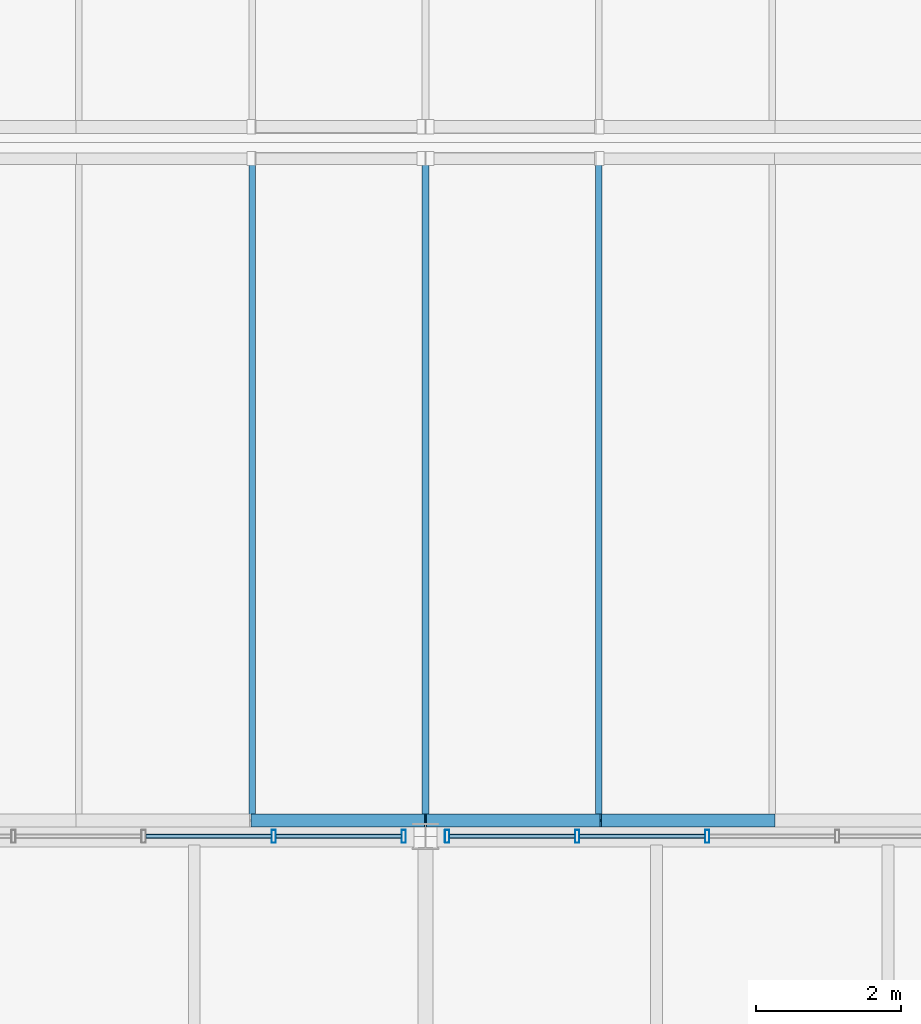
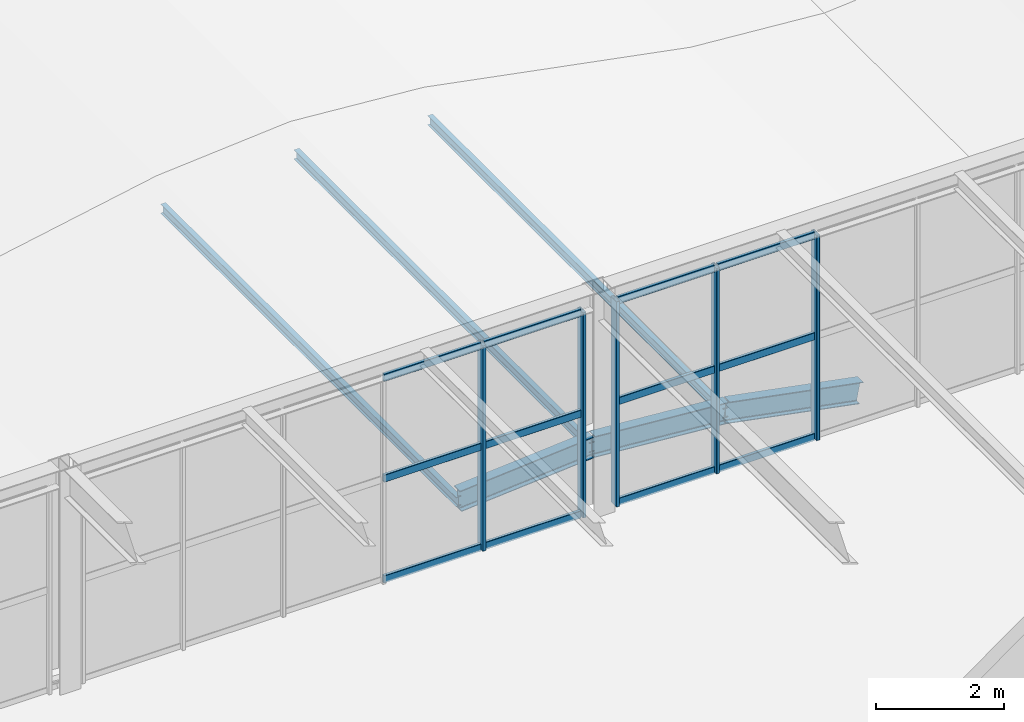
# One storey, part 106 of 170: 20 members, 3 beams, 2 elements without a shape of their own.
"""IFC4 building model written with IfcOpenShell, lengths in metres."""

from ifc_helpers import new_model, si_unit, direction, frame, origin, origin_2d, place, context, subcontext, project, spatial, hollow_rectangle, i_section, extrude, material, material_profile, profile_set, type_object, element, aggregate, save


model = new_model("IFC4")

# Units and contexts
model_context = context("Model", 3, precision=1e-05, world=origin(), true_north=direction((0.0, 1.0)))
body_context = subcontext(model_context, "Body", "Model", "MODEL_VIEW")
ifc_project = project(units=[si_unit("LENGTHUNIT", "METRE"), si_unit("AREAUNIT", "SQUARE_METRE"), si_unit("VOLUMEUNIT", "CUBIC_METRE"), si_unit("PLANEANGLEUNIT", "RADIAN"), si_unit("MASSUNIT", "GRAM", prefix="KILO")], contexts=[model_context])

# Site, building, storey
site_placement = place(None, origin())
site = spatial("IfcSite", under=ifc_project, at=site_placement, CompositionType="ELEMENT")
building_placement = place(site_placement, origin())
building = spatial("IfcBuilding", under=site, at=building_placement, Name="Coralgate Yard Interchange", CompositionType="ELEMENT")
storey_placement = place(building_placement, frame((0.0, 0.0, 6.0)))
storey = spatial("IfcBuildingStorey", under=building, at=storey_placement, Name="L01", CompositionType="ELEMENT", Elevation=6.0)

# Beams
ifc_material_1 = material(Name="Off-white architectural structural steel S355J2", Category="steel")
ifc_material_profile_1 = material_profile(ifc_material_1, i_section(OverallWidth=0.179931640625, OverallDepth=0.39990234375, WebThickness=0.008544921875, FlangeThickness=0.013427734375, FilletRadius=0.02099609375, at=origin_2d()), Name="IPE 400")
ifc_profile_set_1 = profile_set([ifc_material_profile_1], Name="Off-white architectural structural steel S355J2")
beam_type = type_object("IfcBeamType", Name="BM-WR-1", PredefinedType="BEAM", material=ifc_profile_set_1)
beam_1_placement = place(storey_placement, frame((64.800048828125, 96.219970703125, 0.90966796875), z_axis=(0.996866661985, 0.0, 0.079100304817), x_axis=(0.0, 1.0, 0.0)))
element("IfcBeam", 1, at=beam_1_placement, inside=storey, type_object=beam_type, Name="Wave-shell steel arch rib R1-W2-S4", PredefinedType="BEAM", context=body_context, shape_type="SweptSolid", body=[
    extrude(i_section(OverallWidth=0.179931640625, OverallDepth=0.39990234375, WebThickness=0.008544921875, FlangeThickness=0.013427734375, FilletRadius=0.02099609375, at=origin_2d()), origin(), (0.0, 0.0, 1.0), 2.407470703125),
])
beam_2_placement = place(storey_placement, frame((67.199951171875, 96.219970703125, 1.10009765625), z_axis=(0.996867296401, 0.0, -0.079092309144), x_axis=(0.0, 1.0, 0.0)))
element("IfcBeam", 2, at=beam_2_placement, inside=storey, type_object=beam_type, Name="Wave-shell steel arch rib R1-W2-S5", PredefinedType="BEAM", context=body_context, shape_type="SweptSolid", body=[
    extrude(i_section(OverallWidth=0.179931640625, OverallDepth=0.39990234375, WebThickness=0.008544921875, FlangeThickness=0.013427734375, FilletRadius=0.02099609375, at=origin_2d()), origin(), (0.0, 0.0, 1.0), 2.40771484375),
])
beam_3_placement = place(storey_placement, frame((69.60009765625, 96.219970703125, 0.90966796875), z_axis=(0.98214301705, 0.0, -0.18813583938), x_axis=(0.0, 1.0, 0.0)))
element("IfcBeam", 3, at=beam_3_placement, inside=storey, type_object=beam_type, Name="Wave-shell steel arch rib R1-W2-S6", PredefinedType="BEAM", context=body_context, shape_type="SweptSolid", body=[
    extrude(i_section(OverallWidth=0.179931640625, OverallDepth=0.39990234375, WebThickness=0.008544921875, FlangeThickness=0.013427734375, FilletRadius=0.02099609375, at=origin_2d()), origin(), (0.0, 0.0, 1.0), 2.443603515625),
])

# Curtain wall, members
ifc_material_2 = material(Name="Anodised coastal aluminium and solar-control low-E glass", Category="aluminium")
curtain_wall_type = type_object("IfcCurtainWallType", Name="CW-CW-L01-B", PredefinedType="NOTDEFINED", material=ifc_material_2)
curtain_wall_1_placement = place(storey_placement, origin())
curtain_wall_1 = element("IfcCurtainWall", 4, at=curtain_wall_1_placement, inside=storey, type_object=curtain_wall_type, Name="L01 unitised curtain wall CW-L01-N-06-09", PredefinedType="NOTDEFINED")
ifc_material_3 = material(Name="Anodised coastal aluminium 6063-T6", Category="aluminium")
ifc_material_profile_2 = material_profile(ifc_material_3, hollow_rectangle(XDim=0.06005859375, YDim=0.179931640625, WallThickness=0.00390625, InnerFilletRadius=0.00390625, OuterFilletRadius=0.008056640625, at=origin_2d()), Name="ALU 60x180x4")
ifc_profile_set_2 = profile_set([ifc_material_profile_2], Name="Anodised coastal aluminium 6063-T6")
member_type_1 = type_object("IfcMemberType", Name="MB-MUL-180", PredefinedType="MULLION", material=ifc_profile_set_2)
member_1_placement = place(storey_placement, frame((65.10009765625, 96.0, 0.0), z_axis=(0.0, 0.0, 1.0), x_axis=(1.0, 0.0, 0.0)))
member_1 = element("IfcMember", 5, at=member_1_placement, type_object=member_type_1, Name="CW-L01-N-06-09 vertical mullion 5", PredefinedType="MULLION", context=body_context, shape_type="SweptSolid", body=[
    extrude(hollow_rectangle(XDim=0.06005859375, YDim=0.179931640625, WallThickness=0.00390625, InnerFilletRadius=0.00390625, OuterFilletRadius=0.008056640625, at=origin_2d()), origin(), (0.0, 0.0, 1.0), 3.89990234375),
])
member_2_placement = place(storey_placement, frame((66.89990234375, 96.0, 0.0), z_axis=(0.0, 0.0, 1.0), x_axis=(1.0, 0.0, 0.0)))
member_2 = element("IfcMember", 6, at=member_2_placement, type_object=member_type_1, Name="CW-L01-N-06-09 vertical mullion 6", PredefinedType="MULLION", context=body_context, shape_type="SweptSolid", body=[
    extrude(hollow_rectangle(XDim=0.06005859375, YDim=0.179931640625, WallThickness=0.00390625, InnerFilletRadius=0.00390625, OuterFilletRadius=0.008056640625, at=origin_2d()), origin(), (0.0, 0.0, 1.0), 3.89990234375),
])

curtain_wall_2_placement = place(storey_placement, origin())
curtain_wall_2 = element("IfcCurtainWall", 7, at=curtain_wall_2_placement, inside=storey, type_object=curtain_wall_type, Name="L01 unitised curtain wall CW-L01-N-07-09", PredefinedType="NOTDEFINED")
member_3_placement = place(storey_placement, frame((67.5, 96.0, 0.0), z_axis=(0.0, 0.0, 1.0), x_axis=(1.0, 0.0, 0.0)))
member_3 = element("IfcMember", 8, at=member_3_placement, type_object=member_type_1, Name="CW-L01-N-07-09 vertical mullion 1", PredefinedType="MULLION", context=body_context, shape_type="SweptSolid", body=[
    extrude(hollow_rectangle(XDim=0.06005859375, YDim=0.179931640625, WallThickness=0.00390625, InnerFilletRadius=0.00390625, OuterFilletRadius=0.008056640625, at=origin_2d()), origin(), (0.0, 0.0, 1.0), 3.89990234375),
])
member_4_placement = place(storey_placement, frame((69.300048828125, 96.0, 0.0), z_axis=(0.0, 0.0, 1.0), x_axis=(1.0, 0.0, 0.0)))
member_4 = element("IfcMember", 9, at=member_4_placement, type_object=member_type_1, Name="CW-L01-N-07-09 vertical mullion 2", PredefinedType="MULLION", context=body_context, shape_type="SweptSolid", body=[
    extrude(hollow_rectangle(XDim=0.06005859375, YDim=0.179931640625, WallThickness=0.00390625, InnerFilletRadius=0.00390625, OuterFilletRadius=0.008056640625, at=origin_2d()), origin(), (0.0, 0.0, 1.0), 3.89990234375),
])
member_5_placement = place(storey_placement, frame((71.10009765625, 96.0, 0.0), z_axis=(0.0, 0.0, 1.0), x_axis=(1.0, 0.0, 0.0)))
member_5 = element("IfcMember", 10, at=member_5_placement, type_object=member_type_1, Name="CW-L01-N-07-09 vertical mullion 3", PredefinedType="MULLION", context=body_context, shape_type="SweptSolid", body=[
    extrude(hollow_rectangle(XDim=0.06005859375, YDim=0.179931640625, WallThickness=0.00390625, InnerFilletRadius=0.00390625, OuterFilletRadius=0.008056640625, at=origin_2d()), origin(), (0.0, 0.0, 1.0), 3.89990234375),
])

# Members
ifc_material_profile_3 = material_profile(ifc_material_1, i_section(OverallWidth=0.091064453125, OverallDepth=0.179931640625, WebThickness=0.00537109375, FlangeThickness=0.008056640625, FilletRadius=0.009033203125, at=origin_2d()), Name="IPE 180")
ifc_profile_set_3 = profile_set([ifc_material_profile_3], Name="Off-white architectural structural steel S355J2")
member_type_2 = type_object("IfcMemberType", Name="MB-PR-2", PredefinedType="PURLIN", material=ifc_profile_set_3)
for number, where, z_axis, x_axis, name in (
    (11, (64.800048828125, 96.199951171875, 0.86962890625), (0.0, 1.0, 0.0), (-1.0, 0.0, 0.0), "Wave-shell purlin R1-W2-4"),
    (12, (67.199951171875, 96.199951171875, 1.06005859375), (0.0, 1.0, 0.0), (-1.0, 0.0, 0.0), "Wave-shell purlin R1-W2-5"),
    (13, (69.60009765625, 96.199951171875, 0.86962890625), (0.0, 1.0, 0.0), (-1.0, 0.0, 0.0), "Wave-shell purlin R1-W2-6"),
):
    element("IfcMember", number, at=place(storey_placement, frame(where, z_axis=z_axis, x_axis=x_axis)), inside=storey, type_object=member_type_2, Name=name, PredefinedType="PURLIN", context=body_context, shape_type="SweptSolid", body=[
        extrude(i_section(OverallWidth=0.091064453125, OverallDepth=0.179931640625, WebThickness=0.00537109375, FlangeThickness=0.008056640625, FilletRadius=0.009033203125, at=origin_2d()), origin(), (0.0, 0.0, 1.0), 9.199951171875),
    ])

# Member
ifc_material_profile_4 = material_profile(ifc_material_3, hollow_rectangle(XDim=0.06005859375, YDim=0.139892578125, WallThickness=0.00341796875, InnerFilletRadius=0.00341796875, OuterFilletRadius=0.007080078125, at=origin_2d()), Name="ALU 60x140x3.5")
ifc_profile_set_4 = profile_set([ifc_material_profile_4], Name="Anodised coastal aluminium 6063-T6")
member_type_3 = type_object("IfcMemberType", Name="MB-TRN-140", PredefinedType="USERDEFINED", material=ifc_profile_set_4)
member_6_placement = place(storey_placement, frame((63.330078125, 96.0, 0.034912109375), z_axis=(1.0, 0.0, 0.0), x_axis=(0.0, 1.0, 0.0)))
member_6 = element("IfcMember", 14, at=member_6_placement, type_object=member_type_3, Name="CW-L01-N-06-09 horizontal transom 4-1", ObjectType="TRANSOM", PredefinedType="USERDEFINED", context=body_context, shape_type="SweptSolid", body=[
    extrude(hollow_rectangle(XDim=0.06005859375, YDim=0.139892578125, WallThickness=0.00341796875, InnerFilletRadius=0.00341796875, OuterFilletRadius=0.007080078125, at=origin_2d()), origin(), (0.0, 0.0, 1.0), 1.739990234375),
])

member_7_placement = place(storey_placement, frame((63.330078125, 96.0, 1.949951171875), z_axis=(1.0, 0.0, 0.0), x_axis=(0.0, 1.0, 0.0)))
member_7 = element("IfcMember", 15, at=member_7_placement, type_object=member_type_3, Name="CW-L01-N-06-09 horizontal transom 4-2", ObjectType="TRANSOM", PredefinedType="USERDEFINED", context=body_context, shape_type="SweptSolid", body=[
    extrude(hollow_rectangle(XDim=0.06005859375, YDim=0.139892578125, WallThickness=0.00341796875, InnerFilletRadius=0.00341796875, OuterFilletRadius=0.007080078125, at=origin_2d()), origin(), (0.0, 0.0, 1.0), 1.739990234375),
])

member_8_placement = place(storey_placement, frame((63.330078125, 96.0, 3.864990234375), z_axis=(1.0, 0.0, 0.0), x_axis=(0.0, 1.0, 0.0)))
member_8 = element("IfcMember", 16, at=member_8_placement, type_object=member_type_3, Name="CW-L01-N-06-09 horizontal transom 4-3", ObjectType="TRANSOM", PredefinedType="USERDEFINED", context=body_context, shape_type="SweptSolid", body=[
    extrude(hollow_rectangle(XDim=0.06005859375, YDim=0.139892578125, WallThickness=0.00341796875, InnerFilletRadius=0.00341796875, OuterFilletRadius=0.007080078125, at=origin_2d()), origin(), (0.0, 0.0, 1.0), 1.739990234375),
])

member_9_placement = place(storey_placement, frame((65.1298828125, 96.0, 0.034912109375), z_axis=(1.0, 0.0, 0.0), x_axis=(0.0, 1.0, 0.0)))
member_9 = element("IfcMember", 17, at=member_9_placement, type_object=member_type_3, Name="CW-L01-N-06-09 horizontal transom 5-1", ObjectType="TRANSOM", PredefinedType="USERDEFINED", context=body_context, shape_type="SweptSolid", body=[
    extrude(hollow_rectangle(XDim=0.06005859375, YDim=0.139892578125, WallThickness=0.00341796875, InnerFilletRadius=0.00341796875, OuterFilletRadius=0.007080078125, at=origin_2d()), origin(), (0.0, 0.0, 1.0), 1.740234375),
])

member_10_placement = place(storey_placement, frame((65.1298828125, 96.0, 1.949951171875), z_axis=(1.0, 0.0, 0.0), x_axis=(0.0, 1.0, 0.0)))
member_10 = element("IfcMember", 18, at=member_10_placement, type_object=member_type_3, Name="CW-L01-N-06-09 horizontal transom 5-2", ObjectType="TRANSOM", PredefinedType="USERDEFINED", context=body_context, shape_type="SweptSolid", body=[
    extrude(hollow_rectangle(XDim=0.06005859375, YDim=0.139892578125, WallThickness=0.00341796875, InnerFilletRadius=0.00341796875, OuterFilletRadius=0.007080078125, at=origin_2d()), origin(), (0.0, 0.0, 1.0), 1.740234375),
])

member_11_placement = place(storey_placement, frame((65.1298828125, 96.0, 3.864990234375), z_axis=(1.0, 0.0, 0.0), x_axis=(0.0, 1.0, 0.0)))
member_11 = element("IfcMember", 19, at=member_11_placement, type_object=member_type_3, Name="CW-L01-N-06-09 horizontal transom 5-3", ObjectType="TRANSOM", PredefinedType="USERDEFINED", context=body_context, shape_type="SweptSolid", body=[
    extrude(hollow_rectangle(XDim=0.06005859375, YDim=0.139892578125, WallThickness=0.00341796875, InnerFilletRadius=0.00341796875, OuterFilletRadius=0.007080078125, at=origin_2d()), origin(), (0.0, 0.0, 1.0), 1.740234375),
])

aggregate(curtain_wall_1, [member_1, member_2, member_6, member_7, member_8, member_9, member_10, member_11])

member_12_placement = place(storey_placement, frame((67.530029296875, 96.0, 0.034912109375), z_axis=(1.0, 0.0, 0.0), x_axis=(0.0, 1.0, 0.0)))
member_12 = element("IfcMember", 20, at=member_12_placement, type_object=member_type_3, Name="CW-L01-N-07-09 horizontal transom 1-1", ObjectType="TRANSOM", PredefinedType="USERDEFINED", context=body_context, shape_type="SweptSolid", body=[
    extrude(hollow_rectangle(XDim=0.06005859375, YDim=0.139892578125, WallThickness=0.00341796875, InnerFilletRadius=0.00341796875, OuterFilletRadius=0.007080078125, at=origin_2d()), origin(), (0.0, 0.0, 1.0), 1.739990234375),
])

member_13_placement = place(storey_placement, frame((67.530029296875, 96.0, 1.949951171875), z_axis=(1.0, 0.0, 0.0), x_axis=(0.0, 1.0, 0.0)))
member_13 = element("IfcMember", 21, at=member_13_placement, type_object=member_type_3, Name="CW-L01-N-07-09 horizontal transom 1-2", ObjectType="TRANSOM", PredefinedType="USERDEFINED", context=body_context, shape_type="SweptSolid", body=[
    extrude(hollow_rectangle(XDim=0.06005859375, YDim=0.139892578125, WallThickness=0.00341796875, InnerFilletRadius=0.00341796875, OuterFilletRadius=0.007080078125, at=origin_2d()), origin(), (0.0, 0.0, 1.0), 1.739990234375),
])

member_14_placement = place(storey_placement, frame((67.530029296875, 96.0, 3.864990234375), z_axis=(1.0, 0.0, 0.0), x_axis=(0.0, 1.0, 0.0)))
member_14 = element("IfcMember", 22, at=member_14_placement, type_object=member_type_3, Name="CW-L01-N-07-09 horizontal transom 1-3", ObjectType="TRANSOM", PredefinedType="USERDEFINED", context=body_context, shape_type="SweptSolid", body=[
    extrude(hollow_rectangle(XDim=0.06005859375, YDim=0.139892578125, WallThickness=0.00341796875, InnerFilletRadius=0.00341796875, OuterFilletRadius=0.007080078125, at=origin_2d()), origin(), (0.0, 0.0, 1.0), 1.739990234375),
])

member_15_placement = place(storey_placement, frame((69.330078125, 96.0, 0.034912109375), z_axis=(1.0, 0.0, 0.0), x_axis=(0.0, 1.0, 0.0)))
member_15 = element("IfcMember", 23, at=member_15_placement, type_object=member_type_3, Name="CW-L01-N-07-09 horizontal transom 2-1", ObjectType="TRANSOM", PredefinedType="USERDEFINED", context=body_context, shape_type="SweptSolid", body=[
    extrude(hollow_rectangle(XDim=0.06005859375, YDim=0.139892578125, WallThickness=0.00341796875, InnerFilletRadius=0.00341796875, OuterFilletRadius=0.007080078125, at=origin_2d()), origin(), (0.0, 0.0, 1.0), 1.739990234375),
])

member_16_placement = place(storey_placement, frame((69.330078125, 96.0, 1.949951171875), z_axis=(1.0, 0.0, 0.0), x_axis=(0.0, 1.0, 0.0)))
member_16 = element("IfcMember", 24, at=member_16_placement, type_object=member_type_3, Name="CW-L01-N-07-09 horizontal transom 2-2", ObjectType="TRANSOM", PredefinedType="USERDEFINED", context=body_context, shape_type="SweptSolid", body=[
    extrude(hollow_rectangle(XDim=0.06005859375, YDim=0.139892578125, WallThickness=0.00341796875, InnerFilletRadius=0.00341796875, OuterFilletRadius=0.007080078125, at=origin_2d()), origin(), (0.0, 0.0, 1.0), 1.739990234375),
])

member_17_placement = place(storey_placement, frame((69.330078125, 96.0, 3.864990234375), z_axis=(1.0, 0.0, 0.0), x_axis=(0.0, 1.0, 0.0)))
member_17 = element("IfcMember", 25, at=member_17_placement, type_object=member_type_3, Name="CW-L01-N-07-09 horizontal transom 2-3", ObjectType="TRANSOM", PredefinedType="USERDEFINED", context=body_context, shape_type="SweptSolid", body=[
    extrude(hollow_rectangle(XDim=0.06005859375, YDim=0.139892578125, WallThickness=0.00341796875, InnerFilletRadius=0.00341796875, OuterFilletRadius=0.007080078125, at=origin_2d()), origin(), (0.0, 0.0, 1.0), 1.739990234375),
])

aggregate(curtain_wall_2, [member_3, member_4, member_5, member_12, member_13, member_14, member_15, member_16, member_17])

save(model, "model.ifc")
